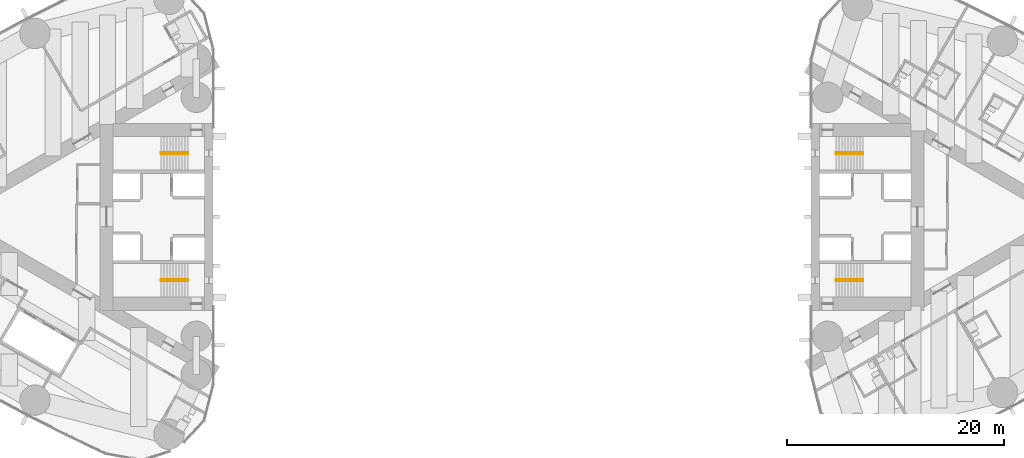
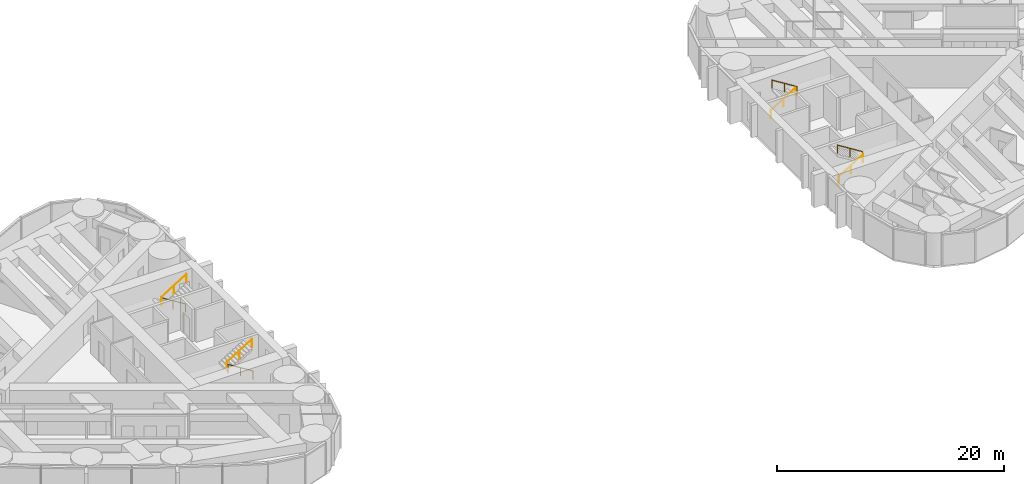
# One storey, part 17 of 18: 8 railings.
"""IFC4 building model written with IfcOpenShell, lengths in metres."""

from ifc_helpers import new_model, si_unit, direction, frame, origin, origin_2d, place, context, subcontext, project, spatial, circle, extrude, material, type_object, element, save


model = new_model("IFC4")

# Units and contexts
model_context = context("Model", 3, precision=1e-05, world=origin(), true_north=direction((0.0, 1.0)))
body_context = subcontext(model_context, "Body", "Model", "MODEL_VIEW")
ifc_project = project(units=[si_unit("LENGTHUNIT", "METRE"), si_unit("AREAUNIT", "SQUARE_METRE"), si_unit("VOLUMEUNIT", "CUBIC_METRE"), si_unit("PLANEANGLEUNIT", "RADIAN"), si_unit("MASSUNIT", "GRAM", prefix="KILO")], contexts=[model_context])

# Site, building, storey
site_placement = place(None, origin())
site = spatial("IfcSite", under=ifc_project, at=site_placement, CompositionType="ELEMENT")
building_placement = place(site_placement, origin())
building = spatial("IfcBuilding", under=site, at=building_placement, Name="Lancet Gate Hotel", CompositionType="ELEMENT")
storey_placement = place(building_placement, frame((0.0, 0.0, 180.800048828125)))
storey = spatial("IfcBuildingStorey", under=building, at=storey_placement, Name="L48", CompositionType="ELEMENT", Elevation=180.800048828125)

# Railings
ifc_material = material(Name="Stainless steel handrail", Category="steel")
railing_type = type_object("IfcRailingType", Name="Stair handrail 900", PredefinedType="HANDRAIL", material=ifc_material)
railing_1_placement = place(storey_placement, frame((-29.800048828125, 5.929931640625, 0.175048828125)))
element("IfcRailing", 1, at=railing_1_placement, inside=storey, type_object=railing_type, Name="ST1 handrail flight 1 L48", PredefinedType="HANDRAIL", context=body_context, shape_type="SweptSolid", body=[
    extrude(circle(Radius=0.02392578125, at=origin_2d()), frame((0.0, 0.0, 0.8759765625), z_axis=(-0.848007534815, 0.0, 0.529984170421), x_axis=(0.0, -1.0, 0.0)), (0.0, 0.0, 1.0), 2.9716796875),
    extrude(circle(Radius=0.02099609375, at=origin_2d()), origin(), (0.0, 0.0, 1.0), 0.851806640625),
    extrude(circle(Radius=0.02099609375, at=origin_2d()), frame((-1.260009765625, 0.0, 0.78759765625)), (0.0, 0.0, 1.0), 0.851806640625),
    extrude(circle(Radius=0.02099609375, at=origin_2d()), frame((-2.52001953125, 0.0, 1.574951171875)), (0.0, 0.0, 1.0), 0.851806640625),
])
railing_2_placement = place(storey_placement, frame((-32.320068359375, 5.77001953125, 1.925048828125)))
element("IfcRailing", 2, at=railing_2_placement, inside=storey, type_object=railing_type, Name="ST1 handrail flight 2 L48", PredefinedType="HANDRAIL", context=body_context, shape_type="SweptSolid", body=[
    extrude(circle(Radius=0.02392578125, at=origin_2d()), frame((0.0, 0.0, 0.8759765625), z_axis=(0.848007534815, 0.0, 0.529984170421), x_axis=(0.0, 1.0, 0.0)), (0.0, 0.0, 1.0), 2.9716796875),
    extrude(circle(Radius=0.02099609375, at=origin_2d()), origin(), (0.0, 0.0, 1.0), 0.851806640625),
    extrude(circle(Radius=0.02099609375, at=origin_2d()), frame((1.260009765625, 0.0, 0.78759765625)), (0.0, 0.0, 1.0), 0.851806640625),
    extrude(circle(Radius=0.02099609375, at=origin_2d()), frame((2.52001953125, 0.0, 1.574951171875)), (0.0, 0.0, 1.0), 0.851806640625),
])
railing_3_placement = place(storey_placement, frame((-29.800048828125, -5.929931640625, 0.175048828125)))
element("IfcRailing", 3, at=railing_3_placement, inside=storey, type_object=railing_type, Name="ST2 handrail flight 1 L48", PredefinedType="HANDRAIL", context=body_context, shape_type="SweptSolid", body=[
    extrude(circle(Radius=0.02392578125, at=origin_2d()), frame((0.0, 0.0, 0.8759765625), z_axis=(-0.848007534815, 0.0, 0.529984170421), x_axis=(0.0, -1.0, 0.0)), (0.0, 0.0, 1.0), 2.9716796875),
    extrude(circle(Radius=0.02099609375, at=origin_2d()), origin(), (0.0, 0.0, 1.0), 0.851806640625),
    extrude(circle(Radius=0.02099609375, at=origin_2d()), frame((-1.260009765625, 0.0, 0.78759765625)), (0.0, 0.0, 1.0), 0.851806640625),
    extrude(circle(Radius=0.02099609375, at=origin_2d()), frame((-2.52001953125, 0.0, 1.574951171875)), (0.0, 0.0, 1.0), 0.851806640625),
])
for number, where, name in (
    (4, (-32.320068359375, -5.77001953125, 1.925048828125), "ST2 handrail flight 2 L48"),
    (5, (29.800048828125, -5.929931640625, 0.175048828125), "ST3 handrail flight 1 L48"),
):
    element("IfcRailing", number, at=place(storey_placement, frame(where)), inside=storey, type_object=railing_type, Name=name, PredefinedType="HANDRAIL", context=body_context, shape_type="SweptSolid", body=[
        extrude(circle(Radius=0.02392578125, at=origin_2d()), frame((0.0, 0.0, 0.8759765625), z_axis=(0.848007534815, 0.0, 0.529984170421), x_axis=(0.0, 1.0, 0.0)), (0.0, 0.0, 1.0), 2.9716796875),
        extrude(circle(Radius=0.02099609375, at=origin_2d()), origin(), (0.0, 0.0, 1.0), 0.851806640625),
        extrude(circle(Radius=0.02099609375, at=origin_2d()), frame((1.260009765625, 0.0, 0.78759765625)), (0.0, 0.0, 1.0), 0.851806640625),
        extrude(circle(Radius=0.02099609375, at=origin_2d()), frame((2.52001953125, 0.0, 1.574951171875)), (0.0, 0.0, 1.0), 0.851806640625),
    ])
railing_4_placement = place(storey_placement, frame((32.320068359375, -5.77001953125, 1.925048828125)))
element("IfcRailing", 6, at=railing_4_placement, inside=storey, type_object=railing_type, Name="ST3 handrail flight 2 L48", PredefinedType="HANDRAIL", context=body_context, shape_type="SweptSolid", body=[
    extrude(circle(Radius=0.02392578125, at=origin_2d()), frame((0.0, 0.0, 0.8759765625), z_axis=(-0.848007534815, 0.0, 0.529984170421), x_axis=(0.0, -1.0, 0.0)), (0.0, 0.0, 1.0), 2.9716796875),
    extrude(circle(Radius=0.02099609375, at=origin_2d()), origin(), (0.0, 0.0, 1.0), 0.851806640625),
    extrude(circle(Radius=0.02099609375, at=origin_2d()), frame((-1.260009765625, 0.0, 0.78759765625)), (0.0, 0.0, 1.0), 0.851806640625),
    extrude(circle(Radius=0.02099609375, at=origin_2d()), frame((-2.52001953125, 0.0, 1.574951171875)), (0.0, 0.0, 1.0), 0.851806640625),
])
railing_5_placement = place(storey_placement, frame((29.800048828125, 5.929931640625, 0.175048828125)))
element("IfcRailing", 7, at=railing_5_placement, inside=storey, type_object=railing_type, Name="ST4 handrail flight 1 L48", PredefinedType="HANDRAIL", context=body_context, shape_type="SweptSolid", body=[
    extrude(circle(Radius=0.02392578125, at=origin_2d()), frame((0.0, 0.0, 0.8759765625), z_axis=(0.848007534815, 0.0, 0.529984170421), x_axis=(0.0, 1.0, 0.0)), (0.0, 0.0, 1.0), 2.9716796875),
    extrude(circle(Radius=0.02099609375, at=origin_2d()), origin(), (0.0, 0.0, 1.0), 0.851806640625),
    extrude(circle(Radius=0.02099609375, at=origin_2d()), frame((1.260009765625, 0.0, 0.78759765625)), (0.0, 0.0, 1.0), 0.851806640625),
    extrude(circle(Radius=0.02099609375, at=origin_2d()), frame((2.52001953125, 0.0, 1.574951171875)), (0.0, 0.0, 1.0), 0.851806640625),
])
railing_6_placement = place(storey_placement, frame((32.320068359375, 5.77001953125, 1.925048828125)))
element("IfcRailing", 8, at=railing_6_placement, inside=storey, type_object=railing_type, Name="ST4 handrail flight 2 L48", PredefinedType="HANDRAIL", context=body_context, shape_type="SweptSolid", body=[
    extrude(circle(Radius=0.02392578125, at=origin_2d()), frame((0.0, 0.0, 0.8759765625), z_axis=(-0.848007534815, 0.0, 0.529984170421), x_axis=(0.0, -1.0, 0.0)), (0.0, 0.0, 1.0), 2.9716796875),
    extrude(circle(Radius=0.02099609375, at=origin_2d()), origin(), (0.0, 0.0, 1.0), 0.851806640625),
    extrude(circle(Radius=0.02099609375, at=origin_2d()), frame((-1.260009765625, 0.0, 0.78759765625)), (0.0, 0.0, 1.0), 0.851806640625),
    extrude(circle(Radius=0.02099609375, at=origin_2d()), frame((-2.52001953125, 0.0, 1.574951171875)), (0.0, 0.0, 1.0), 0.851806640625),
])

save(model, "model.ifc")
